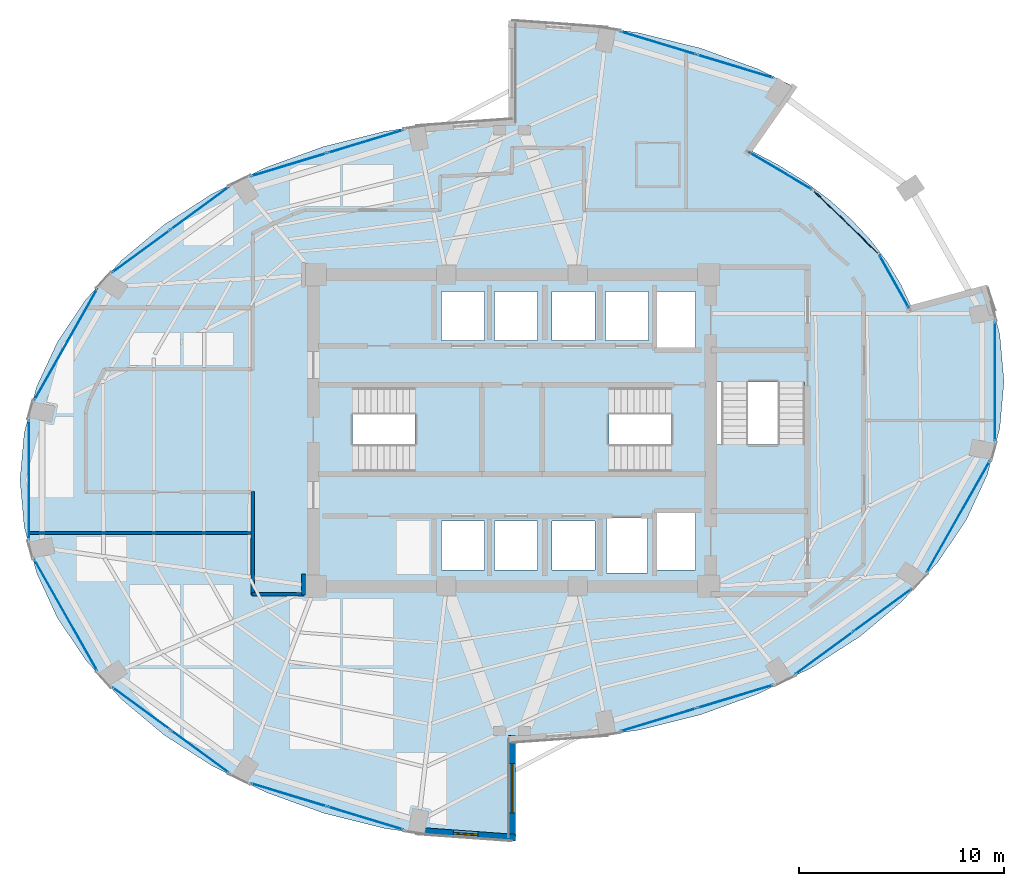
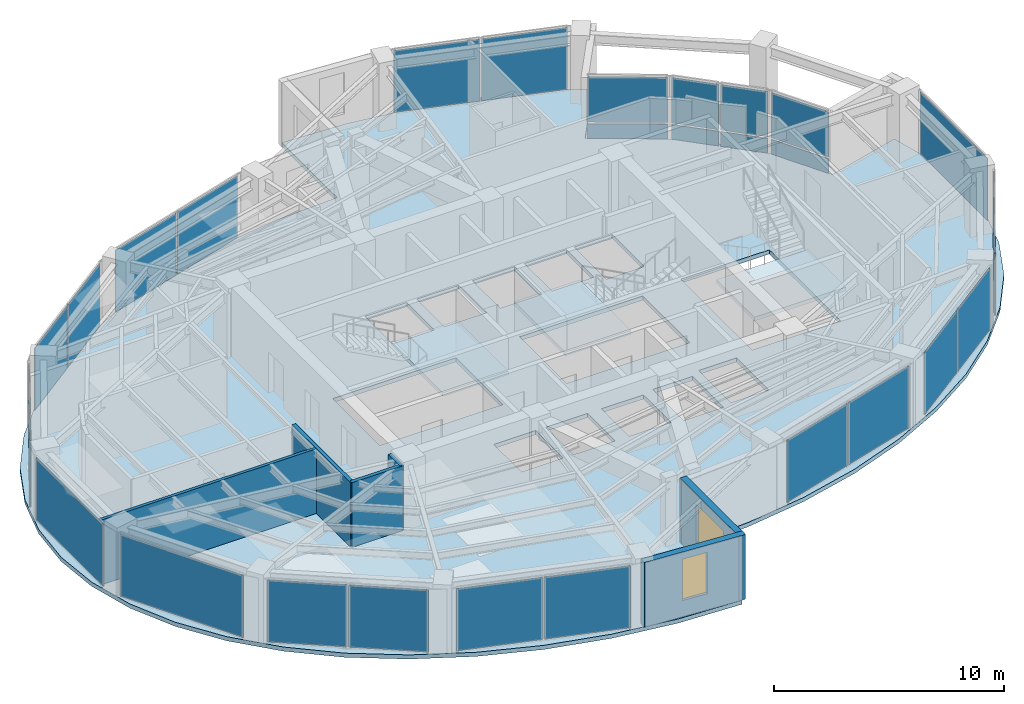
# One storey, part 14 of 19: 27 plates, 6 walls, 4 slabs, 2 windows, 2 openings, 18 elements without a shape of their own.
"""IFC4 building model written with IfcOpenShell, lengths in metres."""

from ifc_helpers import new_model, si_unit, direction, frame, frame_2d, origin, origin_2d, place, context, subcontext, project, spatial, polyline, rectangle, outline, extrude, material, layer, layer_set, type_object, element, fill, aggregate, save


model = new_model("IFC4")

# Units and contexts
model_context = context("Model", 3, precision=1e-05, world=origin(), true_north=direction((0.0, 1.0)))
body_context = subcontext(model_context, "Body", "Model", "MODEL_VIEW")
ifc_project = project(units=[si_unit("LENGTHUNIT", "METRE"), si_unit("AREAUNIT", "SQUARE_METRE"), si_unit("VOLUMEUNIT", "CUBIC_METRE"), si_unit("PLANEANGLEUNIT", "RADIAN"), si_unit("MASSUNIT", "GRAM", prefix="KILO")], contexts=[model_context])

# Site, building, storey
site_placement = place(None, origin())
site = spatial("IfcSite", under=ifc_project, at=site_placement, CompositionType="ELEMENT")
building_placement = place(site_placement, origin())
building = spatial("IfcBuilding", under=site, at=building_placement, Name="Lazwardi Medical Tower", CompositionType="ELEMENT")
storey_placement = place(building_placement, frame((0.0, 0.0, 167.471923828125)))
storey = spatial("IfcBuildingStorey", under=building, at=storey_placement, Name="L43", CompositionType="ELEMENT", Elevation=167.471923828125)

# Curtain wall, plates
ifc_material_1 = material(Name="Anodised bronze aluminium and solar control glazing", Category="aluminium")
ifc_layer_1 = layer(ifc_material_1, 0.195068359375)
ifc_layer_set_1 = layer_set([ifc_layer_1], Name="Anodised bronze aluminium and solar control glazing")
curtain_wall_type_1 = type_object("IfcCurtainWallType", Name="CW-SYS-03", PredefinedType="NOTDEFINED", material=ifc_layer_set_1)
curtain_wall_1_placement = place(storey_placement, origin())
curtain_wall_1 = element("IfcCurtainWall", 1, at=curtain_wall_1_placement, inside=storey, type_object=curtain_wall_type_1, Name="L43 Unitised bronze curtain wall CW-03", PredefinedType="NOTDEFINED")
ifc_material_2 = material(Name="Low-e bronze solar control double glazing", Category="glass")
ifc_layer_2 = layer(ifc_material_2, 0.035888671875)
ifc_layer_set_2 = layer_set([ifc_layer_2], Name="Low-e bronze solar control double glazing")
plate_type_1 = type_object("IfcPlateType", Name="PLT-GLZ-01", PredefinedType="CURTAIN_PANEL", material=ifc_layer_set_2)
plate_1_placement = place(storey_placement, frame((43.1435546875, 13.8935546875, 0.0751953125), z_axis=(0.0, 0.0, 1.0), x_axis=(0.956941516292, 0.290280785441, 0.0)))
plate_1 = element("IfcPlate", 2, at=plate_1_placement, type_object=plate_type_1, Name="CW-03 panel 1.1", PredefinedType="CURTAIN_PANEL", context=body_context, shape_type="SweptSolid", body=[
    extrude(rectangle(XDim=3.83642578125, YDim=0.035888671875, at=origin_2d()), origin(), (0.0, 0.0, 1.0), 3.278076171875),
])
plate_2_placement = place(storey_placement, frame((46.88671875, 15.029052734375, 0.0751953125), z_axis=(0.0, 0.0, 1.0), x_axis=(0.956941516292, 0.290280785441, 0.0)))
plate_2 = element("IfcPlate", 3, at=plate_2_placement, type_object=plate_type_1, Name="CW-03 panel 2.1", PredefinedType="CURTAIN_PANEL", context=body_context, shape_type="SweptSolid", body=[
    extrude(rectangle(XDim=3.83642578125, YDim=0.035888671875, at=origin_2d()), origin(), (0.0, 0.0, 1.0), 3.278076171875),
])
aggregate(curtain_wall_1, [plate_1, plate_2])

curtain_wall_2_placement = place(storey_placement, origin())
curtain_wall_2 = element("IfcCurtainWall", 4, at=curtain_wall_2_placement, inside=storey, type_object=curtain_wall_type_1, Name="L43 Unitised bronze curtain wall CW-03", PredefinedType="NOTDEFINED")
plate_3_placement = place(storey_placement, frame((51.2265625, 17.153076171875, 0.0751953125), z_axis=(0.0, 0.0, 1.0), x_axis=(0.806793249082, 0.590833862635, 0.0)))
plate_3 = element("IfcPlate", 5, at=plate_3_placement, type_object=plate_type_1, Name="CW-03 panel 1.1", PredefinedType="CURTAIN_PANEL", context=body_context, shape_type="SweptSolid", body=[
    extrude(rectangle(XDim=3.472412109375, YDim=0.035888671875, at=origin_2d()), origin(), (0.0, 0.0, 1.0), 3.278076171875),
])
plate_4_placement = place(storey_placement, frame((54.088623046875, 19.2490234375, 0.0751953125), z_axis=(0.0, 0.0, 1.0), x_axis=(0.806793249082, 0.590833862635, 0.0)))
plate_4 = element("IfcPlate", 6, at=plate_4_placement, type_object=plate_type_1, Name="CW-03 panel 2.1", PredefinedType="CURTAIN_PANEL", context=body_context, shape_type="SweptSolid", body=[
    extrude(rectangle(XDim=3.472412109375, YDim=0.035888671875, at=origin_2d()), origin(), (0.0, 0.0, 1.0), 3.278076171875),
])
aggregate(curtain_wall_2, [plate_3, plate_4])

# Curtain wall, plate
curtain_wall_3_placement = place(storey_placement, origin())
curtain_wall_3 = element("IfcCurtainWall", 7, at=curtain_wall_3_placement, inside=storey, type_object=curtain_wall_type_1, Name="L43 Unitised bronze curtain wall CW-03", PredefinedType="NOTDEFINED")
plate_5_placement = place(storey_placement, frame((57.764404296875, 23.798095703125, 0.0751953125), z_axis=(0.0, 0.0, 1.0), x_axis=(0.492311672683, 0.870418989303, 0.0)))
plate_5 = element("IfcPlate", 8, at=plate_5_placement, type_object=plate_type_1, Name="CW-03 panel 1.1", PredefinedType="CURTAIN_PANEL", context=body_context, shape_type="SweptSolid", body=[
    extrude(rectangle(XDim=6.208740234375, YDim=0.035888671875, at=origin_2d()), origin(), (0.0, 0.0, 1.0), 3.278076171875),
])
aggregate(curtain_wall_3, [plate_5])

curtain_wall_4_placement = place(storey_placement, origin())
curtain_wall_4 = element("IfcCurtainWall", 9, at=curtain_wall_4_placement, inside=storey, type_object=curtain_wall_type_1, Name="L43 Unitised bronze curtain wall CW-03", PredefinedType="NOTDEFINED")
plate_6_placement = place(storey_placement, frame((59.5576171875, 30.39990234375, 0.0751953125), z_axis=(0.0, 0.0, 1.0), x_axis=(0.0, 1.0, 0.0)))
plate_6 = element("IfcPlate", 10, at=plate_6_placement, type_object=plate_type_1, Name="CW-03 panel 1.1", PredefinedType="CURTAIN_PANEL", context=body_context, shape_type="SweptSolid", body=[
    extrude(rectangle(XDim=5.8408203125, YDim=0.035888671875, at=origin_2d()), origin(), (0.0, 0.0, 1.0), 3.278076171875),
])
aggregate(curtain_wall_4, [plate_6])

# Curtain wall, plates
curtain_wall_5_placement = place(storey_placement, origin())
curtain_wall_5 = element("IfcCurtainWall", 11, at=curtain_wall_5_placement, inside=storey, type_object=curtain_wall_type_1, Name="L43 Unitised bronze curtain wall CW-03", PredefinedType="NOTDEFINED")
plate_7_placement = place(storey_placement, frame((46.88671875, 45.77099609375, 0.0751953125), z_axis=(0.0, 0.0, 1.0), x_axis=(-0.956941516292, 0.290280785441, 0.0)))
plate_7 = element("IfcPlate", 12, at=plate_7_placement, type_object=plate_type_1, Name="CW-03 panel 1.1", PredefinedType="CURTAIN_PANEL", context=body_context, shape_type="SweptSolid", body=[
    extrude(rectangle(XDim=3.83642578125, YDim=0.035888671875, at=origin_2d()), origin(), (0.0, 0.0, 1.0), 3.278076171875),
])
plate_8_placement = place(storey_placement, frame((43.1435546875, 46.906494140625, 0.0751953125), z_axis=(0.0, 0.0, 1.0), x_axis=(-0.956941516292, 0.290280785441, 0.0)))
plate_8 = element("IfcPlate", 13, at=plate_8_placement, type_object=plate_type_1, Name="CW-03 panel 2.1", PredefinedType="CURTAIN_PANEL", context=body_context, shape_type="SweptSolid", body=[
    extrude(rectangle(XDim=3.83642578125, YDim=0.035888671875, at=origin_2d()), origin(), (0.0, 0.0, 1.0), 3.278076171875),
])
aggregate(curtain_wall_5, [plate_7, plate_8])

curtain_wall_6_placement = place(storey_placement, origin())
curtain_wall_6 = element("IfcCurtainWall", 14, at=curtain_wall_6_placement, inside=storey, type_object=curtain_wall_type_1, Name="L43 Unitised bronze curtain wall CW-03", PredefinedType="NOTDEFINED")
plate_9_placement = place(storey_placement, frame((28.8564453125, 42.1064453125, 0.0751953125), z_axis=(0.0, 0.0, 1.0), x_axis=(-0.956941516292, -0.290280785441, 0.0)))
plate_9 = element("IfcPlate", 15, at=plate_9_placement, type_object=plate_type_1, Name="CW-03 panel 1.1", PredefinedType="CURTAIN_PANEL", context=body_context, shape_type="SweptSolid", body=[
    extrude(rectangle(XDim=3.83642578125, YDim=0.035888671875, at=origin_2d()), origin(), (0.0, 0.0, 1.0), 3.278076171875),
])
plate_10_placement = place(storey_placement, frame((25.11328125, 40.970947265625, 0.0751953125), z_axis=(0.0, 0.0, 1.0), x_axis=(-0.956941516292, -0.290280785441, 0.0)))
plate_10 = element("IfcPlate", 16, at=plate_10_placement, type_object=plate_type_1, Name="CW-03 panel 2.1", PredefinedType="CURTAIN_PANEL", context=body_context, shape_type="SweptSolid", body=[
    extrude(rectangle(XDim=3.83642578125, YDim=0.035888671875, at=origin_2d()), origin(), (0.0, 0.0, 1.0), 3.278076171875),
])
aggregate(curtain_wall_6, [plate_9, plate_10])

curtain_wall_7_placement = place(storey_placement, origin())
curtain_wall_7 = element("IfcCurtainWall", 17, at=curtain_wall_7_placement, inside=storey, type_object=curtain_wall_type_1, Name="L43 Unitised bronze curtain wall CW-03", PredefinedType="NOTDEFINED")
plate_11_placement = place(storey_placement, frame((20.7734375, 38.846923828125, 0.0751953125), z_axis=(0.0, 0.0, 1.0), x_axis=(-0.806793249082, -0.590833862635, 0.0)))
plate_11 = element("IfcPlate", 18, at=plate_11_placement, type_object=plate_type_1, Name="CW-03 panel 1.1", PredefinedType="CURTAIN_PANEL", context=body_context, shape_type="SweptSolid", body=[
    extrude(rectangle(XDim=3.472412109375, YDim=0.035888671875, at=origin_2d()), origin(), (0.0, 0.0, 1.0), 3.278076171875),
])
plate_12_placement = place(storey_placement, frame((17.911376953125, 36.7509765625, 0.0751953125), z_axis=(0.0, 0.0, 1.0), x_axis=(-0.806793249082, -0.590833862635, 0.0)))
plate_12 = element("IfcPlate", 19, at=plate_12_placement, type_object=plate_type_1, Name="CW-03 panel 2.1", PredefinedType="CURTAIN_PANEL", context=body_context, shape_type="SweptSolid", body=[
    extrude(rectangle(XDim=3.472412109375, YDim=0.035888671875, at=origin_2d()), origin(), (0.0, 0.0, 1.0), 3.278076171875),
])
aggregate(curtain_wall_7, [plate_11, plate_12])

# Curtain wall, plate
curtain_wall_8_placement = place(storey_placement, origin())
curtain_wall_8 = element("IfcCurtainWall", 20, at=curtain_wall_8_placement, inside=storey, type_object=curtain_wall_type_1, Name="L43 Unitised bronze curtain wall CW-03", PredefinedType="NOTDEFINED")
plate_13_placement = place(storey_placement, frame((14.235595703125, 32.201904296875, 0.0751953125), z_axis=(0.0, 0.0, 1.0), x_axis=(-0.492311672683, -0.870418989303, 0.0)))
plate_13 = element("IfcPlate", 21, at=plate_13_placement, type_object=plate_type_1, Name="CW-03 panel 1.1", PredefinedType="CURTAIN_PANEL", context=body_context, shape_type="SweptSolid", body=[
    extrude(rectangle(XDim=6.208740234375, YDim=0.035888671875, at=origin_2d()), origin(), (0.0, 0.0, 1.0), 3.278076171875),
])
aggregate(curtain_wall_8, [plate_13])

curtain_wall_9_placement = place(storey_placement, origin())
curtain_wall_9 = element("IfcCurtainWall", 22, at=curtain_wall_9_placement, inside=storey, type_object=curtain_wall_type_1, Name="L43 Unitised bronze curtain wall CW-03", PredefinedType="NOTDEFINED")
plate_14_placement = place(storey_placement, frame((12.4423828125, 25.60009765625, 0.0751953125), z_axis=(0.0, 0.0, 1.0), x_axis=(0.0, -1.0, 0.0)))
plate_14 = element("IfcPlate", 23, at=plate_14_placement, type_object=plate_type_1, Name="CW-03 panel 1.1", PredefinedType="CURTAIN_PANEL", context=body_context, shape_type="SweptSolid", body=[
    extrude(rectangle(XDim=5.8408203125, YDim=0.035888671875, at=origin_2d()), origin(), (0.0, 0.0, 1.0), 3.278076171875),
])
aggregate(curtain_wall_9, [plate_14])

curtain_wall_10_placement = place(storey_placement, origin())
curtain_wall_10 = element("IfcCurtainWall", 24, at=curtain_wall_10_placement, inside=storey, type_object=curtain_wall_type_1, Name="L43 Unitised bronze curtain wall CW-03", PredefinedType="NOTDEFINED")
plate_15_placement = place(storey_placement, frame((14.235595703125, 18.998046875, 0.0751953125), z_axis=(0.0, 0.0, 1.0), x_axis=(0.492311672683, -0.870418989303, 0.0)))
plate_15 = element("IfcPlate", 25, at=plate_15_placement, type_object=plate_type_1, Name="CW-03 panel 1.1", PredefinedType="CURTAIN_PANEL", context=body_context, shape_type="SweptSolid", body=[
    extrude(rectangle(XDim=6.208740234375, YDim=0.035888671875, at=origin_2d()), origin(), (0.0, 0.0, 1.0), 3.278076171875),
])
aggregate(curtain_wall_10, [plate_15])

# Curtain wall, plates
curtain_wall_11_placement = place(storey_placement, origin())
curtain_wall_11 = element("IfcCurtainWall", 26, at=curtain_wall_11_placement, inside=storey, type_object=curtain_wall_type_1, Name="L43 Unitised bronze curtain wall CW-03", PredefinedType="NOTDEFINED")
plate_16_placement = place(storey_placement, frame((17.911376953125, 14.448974609375, 0.0751953125), z_axis=(0.0, 0.0, 1.0), x_axis=(0.806793249082, -0.590833862635, 0.0)))
plate_16 = element("IfcPlate", 27, at=plate_16_placement, type_object=plate_type_1, Name="CW-03 panel 1.1", PredefinedType="CURTAIN_PANEL", context=body_context, shape_type="SweptSolid", body=[
    extrude(rectangle(XDim=3.472412109375, YDim=0.035888671875, at=origin_2d()), origin(), (0.0, 0.0, 1.0), 3.278076171875),
])
plate_17_placement = place(storey_placement, frame((20.7734375, 12.35302734375, 0.0751953125), z_axis=(0.0, 0.0, 1.0), x_axis=(0.806793249082, -0.590833862635, 0.0)))
plate_17 = element("IfcPlate", 28, at=plate_17_placement, type_object=plate_type_1, Name="CW-03 panel 2.1", PredefinedType="CURTAIN_PANEL", context=body_context, shape_type="SweptSolid", body=[
    extrude(rectangle(XDim=3.472412109375, YDim=0.035888671875, at=origin_2d()), origin(), (0.0, 0.0, 1.0), 3.278076171875),
])
aggregate(curtain_wall_11, [plate_16, plate_17])

curtain_wall_12_placement = place(storey_placement, origin())
curtain_wall_12 = element("IfcCurtainWall", 29, at=curtain_wall_12_placement, inside=storey, type_object=curtain_wall_type_1, Name="L43 Unitised bronze curtain wall CW-03", PredefinedType="NOTDEFINED")
plate_18_placement = place(storey_placement, frame((25.11328125, 10.22900390625, 0.0751953125), z_axis=(0.0, 0.0, 1.0), x_axis=(0.956941516292, -0.290280785441, 0.0)))
plate_18 = element("IfcPlate", 30, at=plate_18_placement, type_object=plate_type_1, Name="CW-03 panel 1.1", PredefinedType="CURTAIN_PANEL", context=body_context, shape_type="SweptSolid", body=[
    extrude(rectangle(XDim=3.83642578125, YDim=0.035888671875, at=origin_2d()), origin(), (0.0, 0.0, 1.0), 3.278076171875),
])
plate_19_placement = place(storey_placement, frame((28.8564453125, 9.093505859375, 0.0751953125), z_axis=(0.0, 0.0, 1.0), x_axis=(0.956941516292, -0.290280785441, 0.0)))
plate_19 = element("IfcPlate", 31, at=plate_19_placement, type_object=plate_type_1, Name="CW-03 panel 2.1", PredefinedType="CURTAIN_PANEL", context=body_context, shape_type="SweptSolid", body=[
    extrude(rectangle(XDim=3.83642578125, YDim=0.035888671875, at=origin_2d()), origin(), (0.0, 0.0, 1.0), 3.278076171875),
])
aggregate(curtain_wall_12, [plate_18, plate_19])

ifc_layer_3 = layer(ifc_material_1, 0.239990234375)
ifc_layer_set_3 = layer_set([ifc_layer_3], Name="Anodised bronze aluminium and solar control glazing")
curtain_wall_type_2 = type_object("IfcCurtainWallType", Name="CW-SYS-05", PredefinedType="NOTDEFINED", material=ifc_layer_set_3)
curtain_wall_13_placement = place(storey_placement, origin())
curtain_wall_13 = element("IfcCurtainWall", 32, at=curtain_wall_13_placement, inside=storey, type_object=curtain_wall_type_2, Name="L43 Unitised bronze curtain wall CW-05", PredefinedType="NOTDEFINED")
ifc_material_3 = material(Name="Laminated acoustic bronze double glazing", Category="glass")
ifc_layer_4 = layer(ifc_material_3, 0.0419921875)
ifc_layer_set_4 = layer_set([ifc_layer_4], Name="Laminated acoustic bronze double glazing")
plate_type_2 = type_object("IfcPlateType", Name="PLT-GLZ-02", PredefinedType="CURTAIN_PANEL", material=ifc_layer_set_4)
plate_20_placement = place(storey_placement, frame((54.6435546875, 35.275634765625, 0.085205078125), z_axis=(0.0, 0.0, 1.0), x_axis=(-0.49088699117, 0.87122325606, 0.0)))
plate_20 = element("IfcPlate", 33, at=plate_20_placement, type_object=plate_type_2, Name="CW-05 panel 1.1", PredefinedType="CURTAIN_PANEL", context=body_context, shape_type="SweptSolid", body=[
    extrude(rectangle(XDim=2.894775390625, YDim=0.0419921875, at=origin_2d()), origin(), (0.0, 0.0, 1.0), 0.7724609375),
])
plate_21_placement = place(storey_placement, frame((54.6435546875, 35.275634765625, 0.942626953125), z_axis=(0.0, 0.0, 1.0), x_axis=(-0.49088699117, 0.87122325606, 0.0)))
plate_21 = element("IfcPlate", 34, at=plate_21_placement, type_object=plate_type_2, Name="CW-05 panel 1.2", PredefinedType="CURTAIN_PANEL", context=body_context, shape_type="SweptSolid", body=[
    extrude(rectangle(XDim=2.894775390625, YDim=0.0419921875, at=origin_2d()), origin(), (0.0, 0.0, 1.0), 2.400390625),
])
aggregate(curtain_wall_13, [plate_20, plate_21])

curtain_wall_14_placement = place(storey_placement, origin())
curtain_wall_14 = element("IfcCurtainWall", 35, at=curtain_wall_14_placement, inside=storey, type_object=curtain_wall_type_2, Name="L43 Unitised bronze curtain wall CW-05", PredefinedType="NOTDEFINED")
plate_22_placement = place(storey_placement, frame((49.1015625, 40.66796875, 0.085205078125), z_axis=(0.0, 0.0, 1.0), x_axis=(-0.860428700061, 0.509570850923, 0.0)))
plate_22 = element("IfcPlate", 36, at=plate_22_placement, type_object=plate_type_2, Name="CW-05 panel 1.1", PredefinedType="CURTAIN_PANEL", context=body_context, shape_type="SweptSolid", body=[
    extrude(rectangle(XDim=3.51220703125, YDim=0.0419921875, at=origin_2d()), origin(), (0.0, 0.0, 1.0), 0.7724609375),
])
plate_23_placement = place(storey_placement, frame((49.1015625, 40.66796875, 0.942626953125), z_axis=(0.0, 0.0, 1.0), x_axis=(-0.860428700061, 0.509570850923, 0.0)))
plate_23 = element("IfcPlate", 37, at=plate_23_placement, type_object=plate_type_2, Name="CW-05 panel 1.2", PredefinedType="CURTAIN_PANEL", context=body_context, shape_type="SweptSolid", body=[
    extrude(rectangle(XDim=3.51220703125, YDim=0.0419921875, at=origin_2d()), origin(), (0.0, 0.0, 1.0), 2.400390625),
])
aggregate(curtain_wall_14, [plate_22, plate_23])

curtain_wall_15_placement = place(storey_placement, origin())
curtain_wall_15 = element("IfcCurtainWall", 38, at=curtain_wall_15_placement, inside=storey, type_object=curtain_wall_type_2, Name="L43 Unitised bronze curtain wall CW-05", PredefinedType="NOTDEFINED")
plate_24_placement = place(storey_placement, frame((53.07470703125, 37.4052734375, 0.085205078125), z_axis=(0.0, 0.0, 1.0), x_axis=(-0.716732273151, 0.697348441329, 0.0)))
plate_24 = element("IfcPlate", 39, at=plate_24_placement, type_object=plate_type_2, Name="CW-05 panel 1.1", PredefinedType="CURTAIN_PANEL", context=body_context, shape_type="SweptSolid", body=[
    extrude(rectangle(XDim=2.10888671875, YDim=0.0419921875, at=origin_2d()), origin(), (0.0, 0.0, 1.0), 0.7724609375),
])
plate_25_placement = place(storey_placement, frame((53.07470703125, 37.4052734375, 0.942626953125), z_axis=(0.0, 0.0, 1.0), x_axis=(-0.716732273151, 0.697348441329, 0.0)))
plate_25 = element("IfcPlate", 40, at=plate_25_placement, type_object=plate_type_2, Name="CW-05 panel 1.2", PredefinedType="CURTAIN_PANEL", context=body_context, shape_type="SweptSolid", body=[
    extrude(rectangle(XDim=2.10888671875, YDim=0.0419921875, at=origin_2d()), origin(), (0.0, 0.0, 1.0), 2.400390625),
])
plate_26_placement = place(storey_placement, frame((51.502197265625, 38.93505859375, 0.085205078125), z_axis=(0.0, 0.0, 1.0), x_axis=(-0.716732273151, 0.697348441329, 0.0)))
plate_26 = element("IfcPlate", 41, at=plate_26_placement, type_object=plate_type_2, Name="CW-05 panel 2.1", PredefinedType="CURTAIN_PANEL", context=body_context, shape_type="SweptSolid", body=[
    extrude(rectangle(XDim=2.10888671875, YDim=0.0419921875, at=origin_2d()), origin(), (0.0, 0.0, 1.0), 0.7724609375),
])
plate_27_placement = place(storey_placement, frame((51.502197265625, 38.93505859375, 0.942626953125), z_axis=(0.0, 0.0, 1.0), x_axis=(-0.716732273151, 0.697348441329, 0.0)))
plate_27 = element("IfcPlate", 42, at=plate_27_placement, type_object=plate_type_2, Name="CW-05 panel 2.2", PredefinedType="CURTAIN_PANEL", context=body_context, shape_type="SweptSolid", body=[
    extrude(rectangle(XDim=2.10888671875, YDim=0.0419921875, at=origin_2d()), origin(), (0.0, 0.0, 1.0), 2.400390625),
])
aggregate(curtain_wall_15, [plate_24, plate_25, plate_26, plate_27])

# Stair, slab
ifc_material_4 = material(Name="Concrete C45/55", Category="concrete")
stair_type = type_object("IfcStairType", Name="STR-WRD", PredefinedType="HALF_TURN_STAIR", material=ifc_material_4)
stair_1_placement = place(storey_placement, origin())
stair_1 = element("IfcStair", 43, at=stair_1_placement, inside=storey, type_object=stair_type, Name="L43 Protected Exit Stair ST1", PredefinedType="HALF_TURN_STAIR")
ifc_layer_5 = layer(ifc_material_4, 0.199951171875)
ifc_layer_set_5 = layer_set([ifc_layer_5], Name="Concrete C45/55")
slab_type_1 = type_object("IfcSlabType", Name="SLB-LND-190", PredefinedType="LANDING", material=ifc_layer_set_5)
slab_1_placement = place(storey_placement, frame((0.0, 0.0, 1.6240234375)))
slab_1 = element("IfcSlab", 44, at=slab_1_placement, type_object=slab_type_1, Name="ST1 landing 1", PredefinedType="LANDING", context=body_context, shape_type="SweptSolid", body=[
    extrude(outline(polyline([(31.27490234375, 25.840087890625), (34.580078125, 25.840087890625), (34.580078125, 30.280029296875), (31.27490234375, 30.280029296875), (31.27490234375, 25.840087890625)])), origin(), (0.0, 0.0, 1.0), 0.199951171875),
])
aggregate(stair_1, [slab_1])

stair_2_placement = place(storey_placement, origin())
stair_2 = element("IfcStair", 45, at=stair_2_placement, inside=storey, type_object=stair_type, Name="L43 Protected Exit Stair ST2", PredefinedType="HALF_TURN_STAIR")
slab_2_placement = place(storey_placement, frame((0.0, 0.0, 1.6240234375)))
slab_2 = element("IfcSlab", 46, at=slab_2_placement, type_object=slab_type_1, Name="ST2 landing 1", PredefinedType="LANDING", context=body_context, shape_type="SweptSolid", body=[
    extrude(outline(polyline([(40.72509765625, 30.280029296875), (37.419921875, 30.280029296875), (37.419921875, 25.840087890625), (40.72509765625, 25.840087890625), (40.72509765625, 30.280029296875)])), origin(), (0.0, 0.0, 1.0), 0.199951171875),
])
aggregate(stair_2, [slab_2])

stair_3_placement = place(storey_placement, origin())
stair_3 = element("IfcStair", 47, at=stair_3_placement, inside=storey, type_object=stair_type, Name="L43 Protected Exit Stair ST3", PredefinedType="HALF_TURN_STAIR")
slab_3_placement = place(storey_placement, frame((0.0, 0.0, 1.6240234375)))
slab_3 = element("IfcSlab", 48, at=slab_3_placement, type_object=slab_type_1, Name="ST3 landing 1", PredefinedType="LANDING", context=body_context, shape_type="SweptSolid", body=[
    extrude(outline(polyline([(45.860107421875, 27.324951171875), (45.860107421875, 24.02001953125), (50.4599609375, 24.02001953125), (50.4599609375, 27.324951171875), (45.860107421875, 27.324951171875)])), origin(), (0.0, 0.0, 1.0), 0.199951171875),
])
aggregate(stair_3, [slab_3])

# Slab
ifc_material_5 = material(Name="Concrete C50/60", Category="concrete")
ifc_layer_6 = layer(ifc_material_5, 0.219970703125)
ifc_layer_set_6 = layer_set([ifc_layer_6], Name="Concrete C50/60")
slab_type_2 = type_object("IfcSlabType", Name="SLB-WRD-220", PredefinedType="FLOOR", material=ifc_layer_set_6)
slab_4_placement = place(storey_placement, frame((0.0, 0.0, -0.219970703125)))
element("IfcSlab", 49, at=slab_4_placement, inside=storey, type_object=slab_type_2, Name="Structural floor slab SF-03 L43", PredefinedType="FLOOR", context=body_context, shape_type="SweptSolid", body=[
    extrude(outline(polyline([(39.132568359375, 12.95068359375), (42.211669921875, 13.399658203125), (45.184326171875, 14.1396484375), (48.0, 15.157958984375), (50.6103515625, 16.43701171875), (52.970703125, 17.954833984375), (55.04052734375, 19.685791015625), (56.78466796875, 21.60009765625), (58.173095703125, 23.664794921875), (59.18212890625, 25.8447265625), (59.794677734375, 28.102783203125), (60.0, 30.39990234375), (59.794677734375, 32.697265625), (59.18359375, 34.950439453125), (59.18359375, 34.950439453125), (55.512939453125, 33.966796875), (55.512451171875, 33.966796875), (55.511962890625, 33.966796875), (55.511474609375, 33.966796875), (55.510986328125, 33.966796875), (55.510498046875, 33.966796875), (55.510009765625, 33.967041015625), (55.509521484375, 33.96728515625), (55.509033203125, 33.96728515625), (55.5087890625, 33.9677734375), (55.50830078125, 33.968017578125), (55.508056640625, 33.968505859375), (55.5078125, 33.96875), (55.50732421875, 33.96923828125), (55.507080078125, 33.969482421875), (54.977294921875, 35.117431640625), (54.30322265625, 36.229248046875), (53.489990234375, 37.296875), (52.54345703125, 38.311767578125), (51.470947265625, 39.2666015625), (50.28076171875, 40.154052734375), (48.981689453125, 40.967041015625), (47.583984375, 41.699951171875), (47.58349609375, 41.7001953125), (47.5830078125, 41.700439453125), (47.582763671875, 41.70068359375), (47.582275390625, 41.701171875), (47.58203125, 41.701416015625), (47.581787109375, 41.701904296875), (47.58154296875, 41.702392578125), (47.581298828125, 41.702880859375), (47.581298828125, 41.703369140625), (47.581298828125, 41.703857421875), (47.581298828125, 41.704345703125), (47.581298828125, 41.704833984375), (47.581298828125, 41.705322265625), (47.581298828125, 41.705810546875), (47.58154296875, 41.706298828125), (47.581787109375, 41.706787109375), (47.58203125, 41.707275390625), (49.740234375, 44.789306640625), (48.0, 45.64208984375), (45.184326171875, 46.660400390625), (42.211669921875, 47.400390625), (39.132568359375, 47.849365234375), (36.0, 48.0), (36.0, 43.199951171875), (32.867431640625, 43.04931640625), (29.788330078125, 42.600341796875), (26.815673828125, 41.8603515625), (24.0, 40.842041015625), (21.3896484375, 39.56298828125), (19.029296875, 38.045166015625), (16.95947265625, 36.314208984375), (15.21533203125, 34.39990234375), (13.826904296875, 32.335205078125), (12.81787109375, 30.1552734375), (12.205322265625, 27.897216796875), (12.0, 25.60009765625), (12.205322265625, 23.302734375), (12.81787109375, 21.044921875), (13.826904296875, 18.86474609375), (15.21533203125, 16.800048828125), (16.95947265625, 14.8857421875), (19.029296875, 13.15478515625), (21.3896484375, 11.636962890625), (24.0, 10.35791015625), (26.815673828125, 9.339599609375), (29.788330078125, 8.599609375), (32.867431640625, 8.150634765625), (36.0, 8.0), (36.0, 12.800048828125), (39.132568359375, 12.95068359375)]), holes=[polyline([(28.22509765625, 26.02001953125), (28.22509765625, 30.10009765625), (34.39990234375, 30.10009765625), (34.39990234375, 26.02001953125), (28.22509765625, 26.02001953125)]), polyline([(37.60009765625, 30.10009765625), (43.77490234375, 30.10009765625), (43.77490234375, 26.02001953125), (37.60009765625, 26.02001953125), (37.60009765625, 30.10009765625)]), polyline([(50.280029296875, 30.375), (50.280029296875, 24.179931640625), (45.840087890625, 24.179931640625), (45.840087890625, 30.375), (50.280029296875, 30.375)]), polyline([(34.64990234375, 32.39990234375), (32.550048828125, 32.39990234375), (32.550048828125, 34.800048828125), (34.64990234375, 34.800048828125), (34.64990234375, 32.39990234375)]), polyline([(35.14990234375, 32.39990234375), (35.14990234375, 34.800048828125), (37.25, 34.800048828125), (37.25, 32.39990234375), (35.14990234375, 32.39990234375)]), polyline([(32.550048828125, 23.60009765625), (34.64990234375, 23.60009765625), (34.64990234375, 21.199951171875), (32.550048828125, 21.199951171875), (32.550048828125, 23.60009765625)]), polyline([(37.25, 23.60009765625), (37.25, 21.199951171875), (35.14990234375, 21.199951171875), (35.14990234375, 23.60009765625), (37.25, 23.60009765625)]), polyline([(40.050048828125, 32.39990234375), (37.949951171875, 32.39990234375), (37.949951171875, 34.800048828125), (40.050048828125, 34.800048828125), (40.050048828125, 32.39990234375)]), polyline([(40.550048828125, 32.39990234375), (40.550048828125, 34.800048828125), (42.64990234375, 34.800048828125), (42.64990234375, 32.39990234375), (40.550048828125, 32.39990234375)]), polyline([(37.949951171875, 23.60009765625), (40.050048828125, 23.60009765625), (40.050048828125, 21.199951171875), (37.949951171875, 21.199951171875), (37.949951171875, 23.60009765625)]), polyline([(44.949951171875, 34.800048828125), (44.949951171875, 32.0), (43.050048828125, 32.0), (43.050048828125, 34.800048828125), (44.949951171875, 34.800048828125)]), polyline([(44.949951171875, 21.199951171875), (43.050048828125, 21.199951171875), (43.050048828125, 24.0), (44.949951171875, 24.0), (44.949951171875, 21.199951171875)]), polyline([(40.60009765625, 21.050048828125), (40.60009765625, 23.75), (42.60009765625, 23.75), (42.60009765625, 21.050048828125), (40.60009765625, 21.050048828125)])]), origin(), (0.0, 0.0, 1.0), 0.219970703125),
])

# Walls
ifc_material_6 = material(Name="Fire-rated gypsum board on steel stud", Category="steel")
ifc_layer_7 = layer(ifc_material_6, 0.179931640625)
ifc_layer_set_7 = layer_set([ifc_layer_7], Name="Fire-rated gypsum board on steel stud")
wall_type_1 = type_object("IfcWallType", Name="WL-COR-180", PredefinedType="PARTITIONING", material=ifc_layer_set_7)
wall_1_placement = place(storey_placement, frame((25.830078125, 21.010009765625, 0.0), z_axis=(0.0, 0.0, 1.0), x_axis=(0.0, -1.0, 0.0)))
element("IfcWall", 50, at=wall_1_placement, inside=storey, type_object=wall_type_1, Name="L43 Corridor partition 21", PredefinedType="PARTITIONING", context=body_context, shape_type="SweptSolid", body=[
    extrude(rectangle(XDim=1.030029296875, YDim=0.179931640625, at=frame_2d((0.51513671875, 0.0))), origin(), (0.0, 0.0, 1.0), 3.427978515625),
])
wall_2_placement = place(storey_placement, frame((25.8701171875, 20.02001953125, 0.0), z_axis=(0.0, 0.0, 1.0), x_axis=(-1.0, 0.0, 0.0)))
element("IfcWall", 51, at=wall_2_placement, inside=storey, type_object=wall_type_1, Name="L43 Corridor partition 22", PredefinedType="PARTITIONING", context=body_context, shape_type="SweptSolid", body=[
    extrude(rectangle(XDim=2.56005859375, YDim=0.179931640625, at=frame_2d((1.280029296875, 0.0))), origin(), (0.0, 0.0, 1.0), 3.427978515625),
])
wall_3_placement = place(storey_placement, frame((23.35009765625, 19.97998046875, 0.0), z_axis=(0.0, 0.0, 1.0), x_axis=(0.0, 1.0, 0.0)))
element("IfcWall", 52, at=wall_3_placement, inside=storey, type_object=wall_type_1, Name="L43 Corridor partition 23", PredefinedType="PARTITIONING", context=body_context, shape_type="SweptSolid", body=[
    extrude(rectangle(XDim=5.06005859375, YDim=0.179931640625, at=frame_2d((2.530029296875, 0.0))), origin(), (0.0, 0.0, 1.0), 3.427978515625),
])

# Wall, opening, window
ifc_material_7 = material(Name="Precast concrete C45/55", Category="concrete")
ifc_layer_8 = layer(ifc_material_7, 0.320068359375)
ifc_layer_set_8 = layer_set([ifc_layer_8], Name="Precast concrete C45/55")
wall_type_2 = type_object("IfcWallType", Name="WL-IWAN-320", PredefinedType="SOLIDWALL", material=ifc_layer_set_8)
wall_4_placement = place(storey_placement, frame((31.299072265625, 8.498779296875, 0.0), z_axis=(0.0, 0.0, 1.0), x_axis=(0.997415202861, -0.071853413984, 0.0)))
wall_4 = element("IfcWall", 53, at=wall_4_placement, inside=storey, type_object=wall_type_2, Name="L43 Iwan Portal Return Wall SW_ret", PredefinedType="SOLIDWALL", context=body_context, shape_type="SweptSolid", body=[
    extrude(rectangle(XDim=4.892822265625, YDim=0.320068359375, at=frame_2d((2.4462890625, 0.0))), origin(), (0.0, 0.0, 1.0), 3.427978515625),
])
opening_1_placement = place(wall_4_placement, frame((1.84619140625, 0.0, 0.85009765625)))
opening_1 = element("IfcOpeningElement", 54, at=opening_1_placement, cuts=wall_4, Name="Opening WN-01", PredefinedType="OPENING", context=body_context, shape_type="SweptSolid", body=[
    extrude(rectangle(XDim=1.199951171875, YDim=2.199951171875, at=frame_2d((0.60009765625, 1.10009765625))), frame((0.0, 0.169921875, 0.0), z_axis=(0.0, -1.0, 0.0), x_axis=(1.0, 0.0, 0.0)), (0.0, 0.0, 1.0), 0.340087890625),
])
window_type_1 = type_object("IfcWindowType", Name="WIN-IW-1200", PartitioningType="SINGLE_PANEL", PredefinedType="WINDOW", material=ifc_material_2)
window_1_placement = place(opening_1_placement, origin())
window_1 = element("IfcWindow", 55, at=window_1_placement, inside=storey, type_object=window_type_1, Name="L43 Iwan Slot Window SW_ret", OverallHeight=2.199951171875, OverallWidth=1.199951171875, PartitioningType="SINGLE_PANEL", PredefinedType="WINDOW", context=body_context, shape_type="SweptSolid", body=[
    extrude(rectangle(XDim=1.199951171875, YDim=2.199951171875, at=frame_2d((0.60009765625, 1.10009765625))), frame((0.0, 0.030029296875, 0.0), z_axis=(0.0, -1.0, 0.0), x_axis=(1.0, 0.0, 0.0)), (0.0, 0.0, 1.0), 0.06005859375),
])
fill(opening_1, window_1)

wall_5_placement = place(storey_placement, frame((36.0, 8.0, 0.0), z_axis=(0.0, 0.0, 1.0), x_axis=(0.0, 1.0, 0.0)))
wall_5 = element("IfcWall", 56, at=wall_5_placement, inside=storey, type_object=wall_type_2, Name="L43 Turquoise Tilework Iwan Seam Wall S_seam", PredefinedType="SOLIDWALL", context=body_context, shape_type="SweptSolid", body=[
    extrude(rectangle(XDim=5.1201171875, YDim=0.320068359375, at=frame_2d((2.56005859375, 0.0))), origin(), (0.0, 0.0, 1.0), 3.427978515625),
])
opening_2_placement = place(wall_5_placement, frame((1.360107421875, 0.0, 0.840087890625)))
opening_2 = element("IfcOpeningElement", 57, at=opening_2_placement, cuts=wall_5, Name="Opening WN-02", PredefinedType="OPENING", context=body_context, shape_type="SweptSolid", body=[
    extrude(rectangle(XDim=2.39990234375, YDim=2.0400390625, at=frame_2d((1.199951171875, 1.02001953125))), frame((0.0, 0.169921875, 0.0), z_axis=(0.0, -1.0, 0.0), x_axis=(1.0, 0.0, 0.0)), (0.0, 0.0, 1.0), 0.340087890625),
])
window_type_2 = type_object("IfcWindowType", Name="WIN-IW-2400", PartitioningType="SINGLE_PANEL", PredefinedType="WINDOW", material=ifc_material_2)
window_2_placement = place(opening_2_placement, origin())
window_2 = element("IfcWindow", 58, at=window_2_placement, inside=storey, type_object=window_type_2, Name="L43 Iwan Seam Window S_seam", OverallHeight=2.0400390625, OverallWidth=2.39990234375, PartitioningType="SINGLE_PANEL", PredefinedType="WINDOW", context=body_context, shape_type="SweptSolid", body=[
    extrude(rectangle(XDim=2.39990234375, YDim=2.0400390625, at=frame_2d((1.199951171875, 1.02001953125))), frame((0.0, 0.030029296875, 0.0), z_axis=(0.0, -1.0, 0.0), x_axis=(1.0, 0.0, 0.0)), (0.0, 0.0, 1.0), 0.06005859375),
])
fill(opening_2, window_2)

# Wall
ifc_material_8 = material(Name="Acoustic gypsum board partition")
ifc_layer_9 = layer(ifc_material_8, 0.14990234375)
ifc_layer_set_9 = layer_set([ifc_layer_9], Name="Acoustic gypsum board partition")
wall_type_3 = type_object("IfcWallType", Name="WL-WRD-150", PredefinedType="PARTITIONING", material=ifc_layer_set_9)
wall_6_placement = place(storey_placement, frame((12.452880859375, 23.0, 0.0), z_axis=(0.0, 0.0, 1.0), x_axis=(1.0, 0.0, 0.0)))
element("IfcWall", 59, at=wall_6_placement, inside=storey, type_object=wall_type_3, Name="L43 Room partition 1", PredefinedType="PARTITIONING", context=body_context, shape_type="SweptSolid", body=[
    extrude(rectangle(XDim=10.80712890625, YDim=0.14990234375, at=frame_2d((5.403564453125, 0.0))), origin(), (0.0, 0.0, 1.0), 3.427978515625),
])

save(model, "model.ifc")
